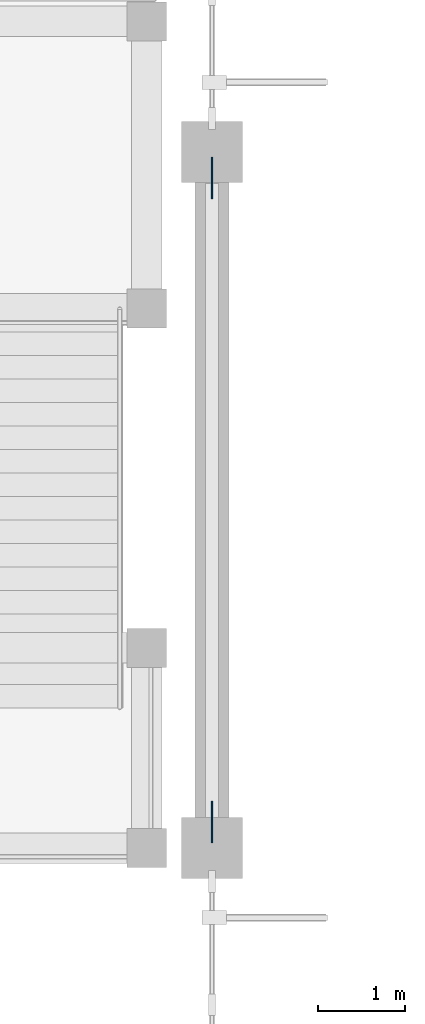
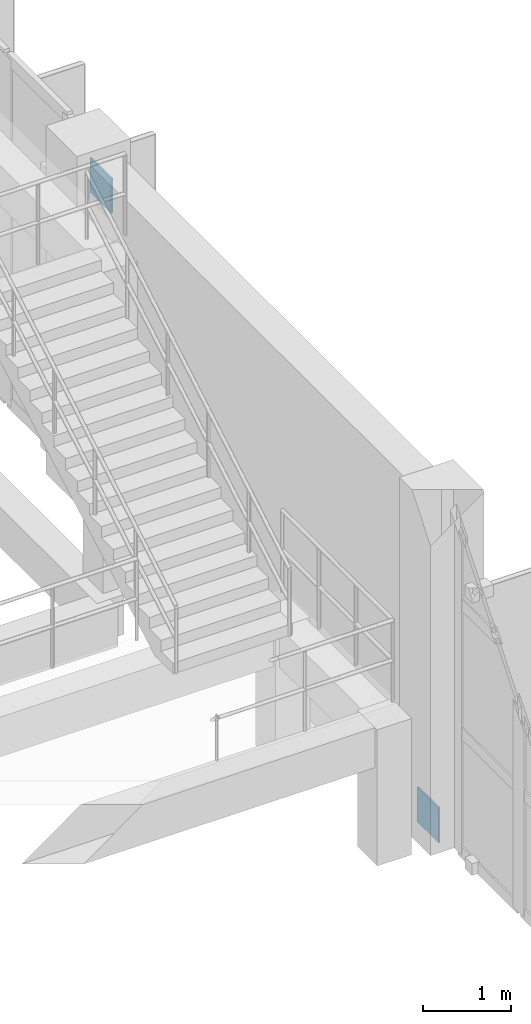
# One storey, part 65 of 93: 2 plates.
"""IFC4 building model written with IfcOpenShell, lengths in metres."""

from ifc_helpers import new_model, si_unit, direction, frame, origin, origin_2d, place, context, subcontext, project, spatial, rectangle, extrude, material, layer, layer_set, type_object, element, save


model = new_model("IFC4")

# Units and contexts
model_context = context("Model", 3, precision=1e-05, world=origin(), true_north=direction((0.0, 1.0)))
body_context = subcontext(model_context, "Body", "Model", "MODEL_VIEW")
ifc_project = project(units=[si_unit("LENGTHUNIT", "METRE"), si_unit("AREAUNIT", "SQUARE_METRE"), si_unit("VOLUMEUNIT", "CUBIC_METRE"), si_unit("PLANEANGLEUNIT", "RADIAN"), si_unit("MASSUNIT", "GRAM", prefix="KILO")], contexts=[model_context])

# Site, building, storey
site_placement = place(None, origin())
site = spatial("IfcSite", under=ifc_project, at=site_placement, CompositionType="ELEMENT")
building_placement = place(site_placement, origin())
building = spatial("IfcBuilding", under=site, at=building_placement, Name="Drelvana Railside Aquatics Centre", CompositionType="ELEMENT")
storey_placement = place(building_placement, frame((0.0, 0.0, 5.39990234375)))
storey = spatial("IfcBuildingStorey", under=building, at=storey_placement, Name="L01", CompositionType="ELEMENT", Elevation=5.39990234375)

# Plates
ifc_material = material(Name="Structural steel S355", Category="steel")
ifc_layer = layer(ifc_material, 0.02197265625, Name="Structural steel S355")
ifc_layer_set = layer_set([ifc_layer], Name="Structural steel S355")
plate_type = type_object("IfcPlateType", Name="STR-PLT-PL-04", PredefinedType="SHEET", material=ifc_layer_set)
for number, where, z_axis, x_axis, name in (
    (1, (72.0, 92.300048828125, -0.18994140625), (0.0, 0.0, 1.0), (1.0, 0.0, 0.0), "Brace gusset end plate PL-04 (L01)"),
    (2, (72.0, 99.699951171875, 4.010009765625), (0.0, 0.0, 1.0), (1.0, 0.0, 0.0), "Brace gusset end plate PL-04 (L01)"),
):
    element("IfcPlate", number, at=place(storey_placement, frame(where, z_axis=z_axis, x_axis=x_axis)), inside=storey, type_object=plate_type, Name=name, PredefinedType="SHEET", context=body_context, shape_type="SweptSolid", body=[
        extrude(rectangle(XDim=0.02197265625, YDim=0.47998046875, at=origin_2d()), origin(), (0.0, 0.0, 1.0), 0.47998046875),
    ])

save(model, "model.ifc")
